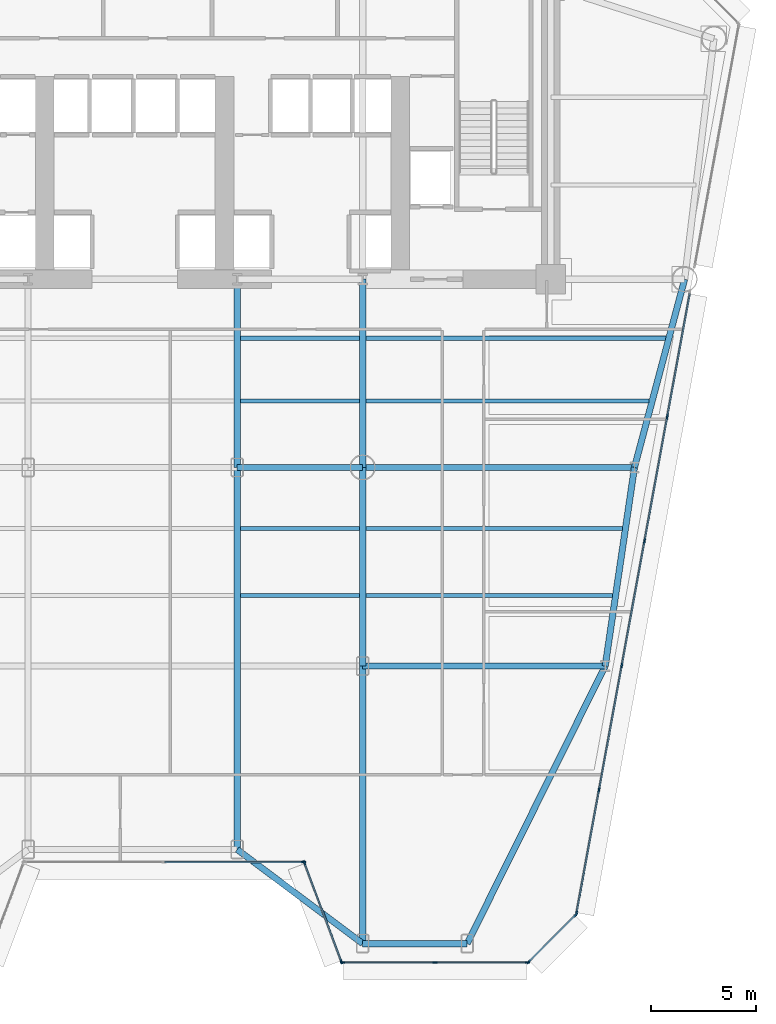
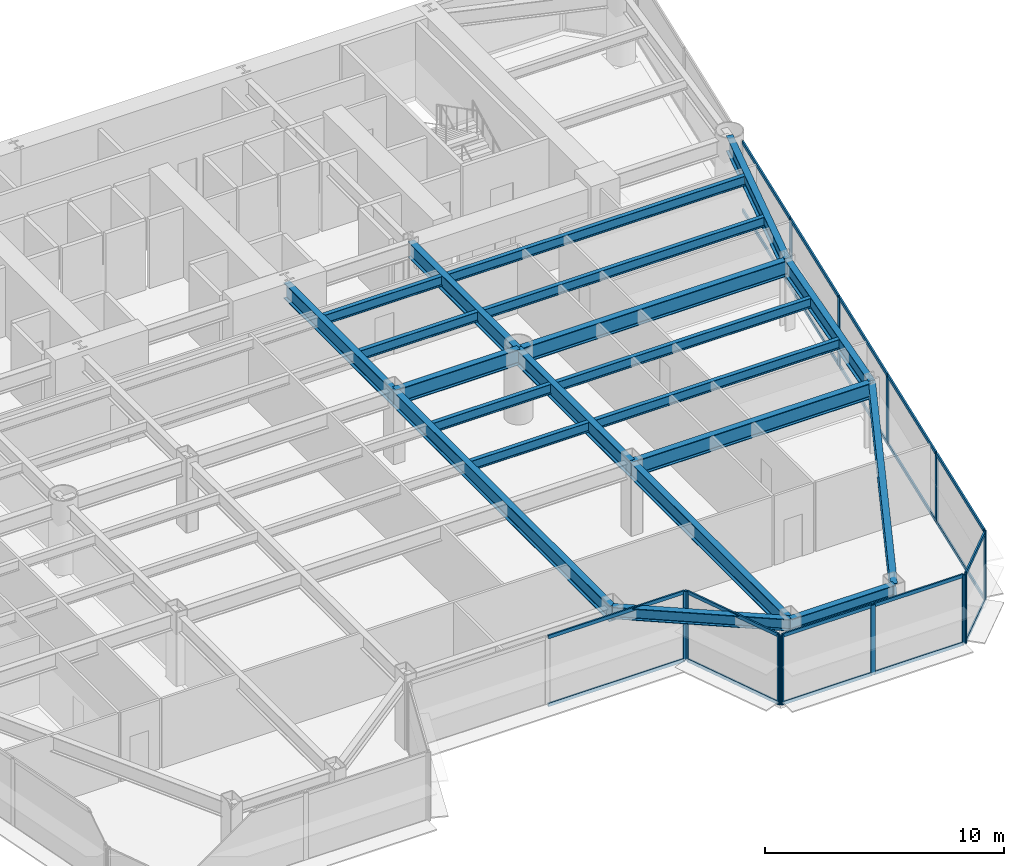
# One storey, part 4 of 14: 33 members, 21 beams, 5 elements without a shape of their own.
"""IFC4 building model written with IfcOpenShell, lengths in metres."""

from ifc_helpers import new_model, si_unit, direction, frame, origin, origin_2d, place, context, subcontext, project, spatial, rectangle, i_section, extrude, source, transform, mapped, material, layer, layer_set, material_profile, profile_set, type_object, element, aggregate, save


model = new_model("IFC4")

# Units and contexts
model_context = context("Model", 3, precision=1e-05, world=origin(), true_north=direction((0.0, 1.0)))
body_context = subcontext(model_context, "Body", "Model", "MODEL_VIEW")
ifc_project = project(units=[si_unit("LENGTHUNIT", "METRE"), si_unit("AREAUNIT", "SQUARE_METRE"), si_unit("VOLUMEUNIT", "CUBIC_METRE"), si_unit("PLANEANGLEUNIT", "RADIAN"), si_unit("MASSUNIT", "GRAM", prefix="KILO")], contexts=[model_context])

# Site, building, storey
site_placement = place(None, origin())
site = spatial("IfcSite", under=ifc_project, at=site_placement, CompositionType="ELEMENT")
building_placement = place(site_placement, origin())
building = spatial("IfcBuilding", under=site, at=building_placement, Name="Vaeldorn Concourse Tower", CompositionType="ELEMENT")
storey_placement = place(building_placement, frame((0.0, 0.0, 79.60009765625)))
storey = spatial("IfcBuildingStorey", under=building, at=storey_placement, Name="L20", CompositionType="ELEMENT", Elevation=79.60009765625)

# Beams
ifc_material_1 = material(Name="Steel S355", Category="steel")
ifc_material_profile_1 = material_profile(ifc_material_1, i_section(OverallWidth=0.300048828125, OverallDepth=0.800048828125, WebThickness=0.017578125, FlangeThickness=0.032958984375, FilletRadius=0.030029296875, at=origin_2d()), Name="HEB 800")
ifc_profile_set_1 = profile_set([ifc_material_profile_1], Name="Steel S355")
beam_type_1 = type_object("IfcBeamType", Name="BM-PG-HEB800", PredefinedType="BEAM", material=ifc_profile_set_1)
shared_shape_1 = source(origin(), body_context, "Body", "SweptSolid", [
    extrude(i_section(OverallWidth=0.300048828125, OverallDepth=0.800048828125, WebThickness=0.017578125, FlangeThickness=0.032958984375, FilletRadius=0.030029296875, at=origin_2d()), origin(), (0.0, 0.0, 1.0), 6.0),
])
beam_1_placement = place(storey_placement, frame((39.0, 27.5, 3.139892578125), z_axis=(1.0, 0.0, 0.0), x_axis=(0.0, 1.0, 0.0)))
element("IfcBeam", 1, at=beam_1_placement, inside=storey, type_object=beam_type_1, Name="Beam BM-L20-C-TW3-C-TW4", PredefinedType="BEAM", context=body_context, shape_type="MappedRepresentation", body=[
    mapped(shared_shape_1, transform((0.0, 0.0, 0.0), scale=1.0)),
])
shared_shape_2 = source(origin(), body_context, "Body", "SweptSolid", [
    extrude(i_section(OverallWidth=0.300048828125, OverallDepth=0.800048828125, WebThickness=0.017578125, FlangeThickness=0.032958984375, FilletRadius=0.030029296875, at=origin_2d()), origin(), (0.0, 0.0, 1.0), 9.0),
])
for number, where, z_axis, x_axis, name in (
    (2, (39.0, 27.5, 3.139892578125), (0.0, 1.0, 0.0), (-1.0, 0.0, 0.0), "Beam BM-L20-C-TW3-C-FC4"),
    (3, (45.0, 27.5, 3.139892578125), (0.0, 1.0, 0.0), (-1.0, 0.0, 0.0), "Beam BM-L20-C-TW4-C-FC5"),
):
    element("IfcBeam", number, at=place(storey_placement, frame(where, z_axis=z_axis, x_axis=x_axis)), inside=storey, type_object=beam_type_1, Name=name, PredefinedType="BEAM", context=body_context, shape_type="MappedRepresentation", body=[
        mapped(shared_shape_2, transform((0.0, 0.0, 0.0), scale=1.0)),
    ])
shared_shape_3 = source(origin(), body_context, "Body", "SweptSolid", [
    extrude(i_section(OverallWidth=0.300048828125, OverallDepth=0.800048828125, WebThickness=0.017578125, FlangeThickness=0.032958984375, FilletRadius=0.030029296875, at=origin_2d()), origin(), (0.0, 0.0, 1.0), 9.314453125),
])
beam_2_placement = place(storey_placement, frame((60.39990234375, 36.5, 3.139892578125), z_axis=(-0.257652862255, -0.966237549763, 0.0), x_axis=(0.966237549763, -0.257652862255, 0.0)))
element("IfcBeam", 4, at=beam_2_placement, inside=storey, type_object=beam_type_1, Name="Beam BM-L20-C-NE2-C-FLE1", PredefinedType="BEAM", context=body_context, shape_type="MappedRepresentation", body=[
    mapped(shared_shape_3, transform((0.0, 0.0, 0.0), scale=1.0)),
])
shared_shape_4 = source(origin(), body_context, "Body", "SweptSolid", [
    extrude(i_section(OverallWidth=0.300048828125, OverallDepth=0.800048828125, WebThickness=0.017578125, FlangeThickness=0.032958984375, FilletRadius=0.030029296875, at=origin_2d()), origin(), (0.0, 0.0, 1.0), 13.0),
])
beam_3_placement = place(storey_placement, frame((45.0, 27.5, 3.139892578125), z_axis=(1.0, 0.0, 0.0), x_axis=(0.0, 1.0, 0.0)))
element("IfcBeam", 5, at=beam_3_placement, inside=storey, type_object=beam_type_1, Name="Beam BM-L20-C-TW4-C-FLE1", PredefinedType="BEAM", context=body_context, shape_type="MappedRepresentation", body=[
    mapped(shared_shape_4, transform((0.0, 0.0, 0.0), scale=1.0)),
])
ifc_material_profile_2 = material_profile(ifc_material_1, i_section(OverallWidth=0.300048828125, OverallDepth=0.60009765625, WebThickness=0.015380859375, FlangeThickness=0.030029296875, FilletRadius=0.027099609375, at=origin_2d()), Name="HEB 600")
ifc_profile_set_2 = profile_set([ifc_material_profile_2], Name="Steel S355")
beam_type_2 = type_object("IfcBeamType", Name="BM-SP-HEB600", PredefinedType="SPANDREL", material=ifc_profile_set_2)
shared_shape_5 = source(origin(), body_context, "Body", "SweptSolid", [
    extrude(i_section(OverallWidth=0.300048828125, OverallDepth=0.60009765625, WebThickness=0.015380859375, FlangeThickness=0.030029296875, FilletRadius=0.027099609375, at=origin_2d()), origin(), (0.0, 0.0, 1.0), 5.0),
])
beam_4_placement = place(storey_placement, frame((45.0, 4.72509765625, 3.239990234375), z_axis=(1.0, 0.0, 0.0), x_axis=(0.0, 1.0, 0.0)))
element("IfcBeam", 6, at=beam_4_placement, inside=storey, type_object=beam_type_2, Name="Beam BM-L20-C-SF5-C-SF6", PredefinedType="SPANDREL", context=body_context, shape_type="MappedRepresentation", body=[
    mapped(shared_shape_5, transform((0.0, 0.0, 0.0), scale=1.0)),
])
shared_shape_6 = source(origin(), body_context, "Body", "SweptSolid", [
    extrude(i_section(OverallWidth=0.300048828125, OverallDepth=0.60009765625, WebThickness=0.015380859375, FlangeThickness=0.030029296875, FilletRadius=0.027099609375, at=origin_2d()), origin(), (0.0, 0.0, 1.0), 7.5),
])
beam_5_placement = place(storey_placement, frame((39.0, 9.22509765625, 3.239990234375), z_axis=(0.8, -0.6, 0.0), x_axis=(0.6, 0.8, 0.0)))
element("IfcBeam", 7, at=beam_5_placement, inside=storey, type_object=beam_type_2, Name="Beam BM-L20-C-SF4-C-SF5", PredefinedType="SPANDREL", context=body_context, shape_type="MappedRepresentation", body=[
    mapped(shared_shape_6, transform((0.0, 0.0, 0.0), scale=1.0)),
])
shared_shape_7 = source(origin(), body_context, "Body", "SweptSolid", [
    extrude(i_section(OverallWidth=0.300048828125, OverallDepth=0.800048828125, WebThickness=0.017578125, FlangeThickness=0.032958984375, FilletRadius=0.030029296875, at=origin_2d()), origin(), (0.0, 0.0, 1.0), 9.6025390625),
])
beam_6_placement = place(storey_placement, frame((58.0, 27.5, 3.139892578125), z_axis=(-0.145783835977, -0.989316467652, 0.0), x_axis=(0.989316467652, -0.145783835977, 0.0)))
element("IfcBeam", 8, at=beam_6_placement, inside=storey, type_object=beam_type_1, Name="Beam BM-L20-C-FLE1-C-FLE2", PredefinedType="BEAM", context=body_context, shape_type="MappedRepresentation", body=[
    mapped(shared_shape_7, transform((0.0, 0.0, 0.0), scale=1.0)),
])
shared_shape_8 = source(origin(), body_context, "Body", "SweptSolid", [
    extrude(i_section(OverallWidth=0.300048828125, OverallDepth=0.800048828125, WebThickness=0.017578125, FlangeThickness=0.032958984375, FilletRadius=0.030029296875, at=origin_2d()), origin(), (0.0, 0.0, 1.0), 11.60009765625),
])
beam_7_placement = place(storey_placement, frame((45.0, 18.0, 3.139892578125), z_axis=(1.0, 0.0, 0.0), x_axis=(0.0, 1.0, 0.0)))
element("IfcBeam", 9, at=beam_7_placement, inside=storey, type_object=beam_type_1, Name="Beam BM-L20-C-TW6-C-FLE2", PredefinedType="BEAM", context=body_context, shape_type="MappedRepresentation", body=[
    mapped(shared_shape_8, transform((0.0, 0.0, 0.0), scale=1.0)),
])
shared_shape_9 = source(origin(), body_context, "Body", "SweptSolid", [
    extrude(i_section(OverallWidth=0.300048828125, OverallDepth=0.800048828125, WebThickness=0.017578125, FlangeThickness=0.032958984375, FilletRadius=0.030029296875, at=origin_2d()), origin(), (0.0, 0.0, 1.0), 9.5),
])
beam_8_placement = place(storey_placement, frame((45.0, 18.0, 3.139892578125), z_axis=(0.0, 1.0, 0.0), x_axis=(-1.0, 0.0, 0.0)))
element("IfcBeam", 10, at=beam_8_placement, inside=storey, type_object=beam_type_1, Name="Beam BM-L20-C-TW6-C-TW4", PredefinedType="BEAM", context=body_context, shape_type="MappedRepresentation", body=[
    mapped(shared_shape_9, transform((0.0, 0.0, 0.0), scale=1.0)),
])
ifc_material_profile_3 = material_profile(ifc_material_1, i_section(OverallWidth=0.199951171875, OverallDepth=0.5, WebThickness=0.01025390625, FlangeThickness=0.01611328125, FilletRadius=0.02099609375, at=origin_2d()), Name="IPE 500")
ifc_profile_set_3 = profile_set([ifc_material_profile_3], Name="Steel S355")
beam_type_3 = type_object("IfcBeamType", Name="BM-JS-IPE500", PredefinedType="JOIST", material=ifc_profile_set_3)
shared_shape_10 = source(origin(), body_context, "Body", "SweptSolid", [
    extrude(i_section(OverallWidth=0.199951171875, OverallDepth=0.5, WebThickness=0.01025390625, FlangeThickness=0.01611328125, FilletRadius=0.02099609375, at=origin_2d()), origin(), (0.0, 0.0, 1.0), 5.7001953125),
])
for number, where, z_axis, x_axis, name in (
    (11, (39.14990234375, 21.3798828125, 3.289794921875), (1.0, 0.0, 0.0), (0.0, 1.0, 0.0), "Beam JS-L20-E2-213"),
    (12, (39.14990234375, 24.580078125, 3.289794921875), (1.0, 0.0, 0.0), (0.0, 1.0, 0.0), "Beam JS-L20-E2-245"),
    (13, (39.14990234375, 30.679931640625, 3.289794921875), (1.0, 0.0, 0.0), (0.0, 1.0, 0.0), "Beam JS-L20-E2-306"),
    (14, (39.14990234375, 33.679931640625, 3.289794921875), (1.0, 0.0, 0.0), (0.0, 1.0, 0.0), "Beam JS-L20-E2-336"),
):
    element("IfcBeam", number, at=place(storey_placement, frame(where, z_axis=z_axis, x_axis=x_axis)), inside=storey, type_object=beam_type_3, Name=name, PredefinedType="JOIST", context=body_context, shape_type="MappedRepresentation", body=[
        mapped(shared_shape_10, transform((0.0, 0.0, 0.0), scale=1.0)),
    ])
shared_shape_11 = source(origin(), body_context, "Body", "SweptSolid", [
    extrude(i_section(OverallWidth=0.300048828125, OverallDepth=0.800048828125, WebThickness=0.017578125, FlangeThickness=0.032958984375, FilletRadius=0.030029296875, at=origin_2d()), origin(), (0.0, 0.0, 1.0), 14.8251953125),
])
beam_9_placement = place(storey_placement, frame((50.0, 4.72509765625, 3.139892578125), z_axis=(0.44519677276, 0.895432763263, 0.0), x_axis=(-0.895432763263, 0.44519677276, 0.0)))
element("IfcBeam", 15, at=beam_9_placement, inside=storey, type_object=beam_type_1, Name="Beam BM-L20-C-SF6-C-FLE2", PredefinedType="BEAM", context=body_context, shape_type="MappedRepresentation", body=[
    mapped(shared_shape_11, transform((0.0, 0.0, 0.0), scale=1.0)),
])
shared_shape_12 = source(origin(), body_context, "Body", "SweptSolid", [
    extrude(i_section(OverallWidth=0.300048828125, OverallDepth=0.800048828125, WebThickness=0.017578125, FlangeThickness=0.032958984375, FilletRadius=0.030029296875, at=origin_2d()), origin(), (0.0, 0.0, 1.0), 13.27490234375),
])
beam_10_placement = place(storey_placement, frame((45.0, 4.72509765625, 3.139892578125), z_axis=(0.0, 1.0, 0.0), x_axis=(-1.0, 0.0, 0.0)))
element("IfcBeam", 16, at=beam_10_placement, inside=storey, type_object=beam_type_1, Name="Beam BM-L20-C-SF5-C-TW6", PredefinedType="BEAM", context=body_context, shape_type="MappedRepresentation", body=[
    mapped(shared_shape_12, transform((0.0, 0.0, 0.0), scale=1.0)),
])
shared_shape_13 = source(origin(), body_context, "Body", "SweptSolid", [
    extrude(i_section(OverallWidth=0.300048828125, OverallDepth=0.800048828125, WebThickness=0.017578125, FlangeThickness=0.032958984375, FilletRadius=0.030029296875, at=origin_2d()), origin(), (0.0, 0.0, 1.0), 18.27490234375),
])
beam_11_placement = place(storey_placement, frame((39.0, 9.22509765625, 3.139892578125), z_axis=(0.0, 1.0, 0.0), x_axis=(-1.0, 0.0, 0.0)))
element("IfcBeam", 17, at=beam_11_placement, inside=storey, type_object=beam_type_1, Name="Beam BM-L20-C-SF4-C-TW3", PredefinedType="BEAM", context=body_context, shape_type="MappedRepresentation", body=[
    mapped(shared_shape_13, transform((0.0, 0.0, 0.0), scale=1.0)),
])
shared_shape_14 = source(origin(), body_context, "Body", "SweptSolid", [
    extrude(i_section(OverallWidth=0.199951171875, OverallDepth=0.5, WebThickness=0.01025390625, FlangeThickness=0.01611328125, FilletRadius=0.02099609375, at=origin_2d()), origin(), (0.0, 0.0, 1.0), 11.798095703125),
])
beam_12_placement = place(storey_placement, frame((45.14990234375, 21.3798828125, 3.289794921875), z_axis=(1.0, 0.0, 0.0), x_axis=(0.0, 1.0, 0.0)))
element("IfcBeam", 18, at=beam_12_placement, inside=storey, type_object=beam_type_3, Name="Beam JS-L20-E1-213", PredefinedType="JOIST", context=body_context, shape_type="MappedRepresentation", body=[
    mapped(shared_shape_14, transform((0.0, 0.0, 0.0), scale=1.0)),
])
shared_shape_15 = source(origin(), body_context, "Body", "SweptSolid", [
    extrude(i_section(OverallWidth=0.199951171875, OverallDepth=0.5, WebThickness=0.01025390625, FlangeThickness=0.01611328125, FilletRadius=0.02099609375, at=origin_2d()), origin(), (0.0, 0.0, 1.0), 12.269775390625),
])
beam_13_placement = place(storey_placement, frame((45.14990234375, 24.580078125, 3.289794921875), z_axis=(1.0, 0.0, 0.0), x_axis=(0.0, 1.0, 0.0)))
element("IfcBeam", 19, at=beam_13_placement, inside=storey, type_object=beam_type_3, Name="Beam JS-L20-E1-245", PredefinedType="JOIST", context=body_context, shape_type="MappedRepresentation", body=[
    mapped(shared_shape_15, transform((0.0, 0.0, 0.0), scale=1.0)),
])
shared_shape_16 = source(origin(), body_context, "Body", "SweptSolid", [
    extrude(i_section(OverallWidth=0.199951171875, OverallDepth=0.5, WebThickness=0.01025390625, FlangeThickness=0.01611328125, FilletRadius=0.02099609375, at=origin_2d()), origin(), (0.0, 0.0, 1.0), 13.548095703125),
])
beam_14_placement = place(storey_placement, frame((45.14990234375, 30.679931640625, 3.289794921875), z_axis=(1.0, 0.0, 0.0), x_axis=(0.0, 1.0, 0.0)))
element("IfcBeam", 20, at=beam_14_placement, inside=storey, type_object=beam_type_3, Name="Beam JS-L20-E1-306", PredefinedType="JOIST", context=body_context, shape_type="MappedRepresentation", body=[
    mapped(shared_shape_16, transform((0.0, 0.0, 0.0), scale=1.0)),
])
shared_shape_17 = source(origin(), body_context, "Body", "SweptSolid", [
    extrude(i_section(OverallWidth=0.199951171875, OverallDepth=0.5, WebThickness=0.01025390625, FlangeThickness=0.01611328125, FilletRadius=0.02099609375, at=origin_2d()), origin(), (0.0, 0.0, 1.0), 14.34814453125),
])
beam_15_placement = place(storey_placement, frame((45.14990234375, 33.679931640625, 3.289794921875), z_axis=(1.0, 0.0, 0.0), x_axis=(0.0, 1.0, 0.0)))
element("IfcBeam", 21, at=beam_15_placement, inside=storey, type_object=beam_type_3, Name="Beam JS-L20-E1-336", PredefinedType="JOIST", context=body_context, shape_type="MappedRepresentation", body=[
    mapped(shared_shape_17, transform((0.0, 0.0, 0.0), scale=1.0)),
])

# Curtain wall, members
ifc_material_2 = material(Name="Anodised Bronze Aluminium", Category="aluminium")
ifc_layer = layer(ifc_material_2, 0.219970703125)
ifc_layer_set = layer_set([ifc_layer], Name="Anodised Bronze Aluminium")
curtain_wall_type = type_object("IfcCurtainWallType", Name="CW-SYS-01", PredefinedType="NOTDEFINED", material=ifc_layer_set)
curtain_wall_1_placement = place(storey_placement, origin())
curtain_wall_1 = element("IfcCurtainWall", 22, at=curtain_wall_1_placement, inside=storey, type_object=curtain_wall_type, Name="Unitised Curtain Wall CW-L20-E04-1", PredefinedType="NOTDEFINED")
ifc_material_profile_4 = material_profile(ifc_material_2, rectangle(XDim=0.074951171875, YDim=0.179931640625, at=origin_2d()), Name="CWT 75x180")
ifc_profile_set_4 = profile_set([ifc_material_profile_4], Name="Anodised Bronze Aluminium")
member_type_1 = type_object("IfcMemberType", Name="CWT-BRONZE-180", PredefinedType="USERDEFINED", material=ifc_profile_set_4)
shared_shape_18 = source(origin(), body_context, "Body", "SweptSolid", [
    extrude(rectangle(XDim=0.074951171875, YDim=0.179931640625, at=origin_2d()), origin(), (0.0, 0.0, 1.0), 4.976318359375),
])
member_1_placement = place(storey_placement, frame((42.226318359375, 8.554931640625, 0.037353515625), z_axis=(0.351128818119, -0.936327161352, 0.0), x_axis=(0.936327161352, 0.351128818119, 0.0)))
member_1 = element("IfcMember", 23, at=member_1_placement, type_object=member_type_1, Name="CW-01 transom 1.1", ObjectType="TRANSOM", PredefinedType="USERDEFINED", context=body_context, shape_type="MappedRepresentation", body=[
    mapped(shared_shape_18, transform((0.0, 0.0, 0.0), scale=1.0)),
])
member_2_placement = place(storey_placement, frame((42.226318359375, 8.554931640625, 3.50244140625), z_axis=(0.351128818119, -0.936327161352, 0.0), x_axis=(0.936327161352, 0.351128818119, 0.0)))
member_2 = element("IfcMember", 24, at=member_2_placement, type_object=member_type_1, Name="CW-01 transom 1.2", ObjectType="TRANSOM", PredefinedType="USERDEFINED", context=body_context, shape_type="MappedRepresentation", body=[
    mapped(shared_shape_18, transform((0.0, 0.0, 0.0), scale=1.0)),
])

curtain_wall_2_placement = place(storey_placement, origin())
curtain_wall_2 = element("IfcCurtainWall", 25, at=curtain_wall_2_placement, inside=storey, type_object=curtain_wall_type, Name="Unitised Curtain Wall CW-L20-E03-1", PredefinedType="NOTDEFINED")
shared_shape_19 = source(origin(), body_context, "Body", "SweptSolid", [
    extrude(rectangle(XDim=0.074951171875, YDim=0.179931640625, at=origin_2d()), origin(), (0.0, 0.0, 1.0), 6.58740234375),
])
member_3_placement = place(storey_placement, frame((35.53759765625, 8.625244140625, 0.037353515625), z_axis=(1.0, 0.0, 0.0), x_axis=(0.0, 1.0, 0.0)))
member_3 = element("IfcMember", 26, at=member_3_placement, type_object=member_type_1, Name="CW-01 transom 2.1", ObjectType="TRANSOM", PredefinedType="USERDEFINED", context=body_context, shape_type="MappedRepresentation", body=[
    mapped(shared_shape_19, transform((0.0, 0.0, 0.0), scale=1.0)),
])
member_4_placement = place(storey_placement, frame((35.53759765625, 8.625244140625, 3.50244140625), z_axis=(1.0, 0.0, 0.0), x_axis=(0.0, 1.0, 0.0)))
member_4 = element("IfcMember", 27, at=member_4_placement, type_object=member_type_1, Name="CW-01 transom 2.2", ObjectType="TRANSOM", PredefinedType="USERDEFINED", context=body_context, shape_type="MappedRepresentation", body=[
    mapped(shared_shape_19, transform((0.0, 0.0, 0.0), scale=1.0)),
])

curtain_wall_3_placement = place(storey_placement, origin())
curtain_wall_3 = element("IfcCurtainWall", 28, at=curtain_wall_3_placement, inside=storey, type_object=curtain_wall_type, Name="Unitised Curtain Wall CW-L20-E06-1", PredefinedType="NOTDEFINED")
shared_shape_20 = source(origin(), body_context, "Body", "SweptSolid", [
    extrude(rectangle(XDim=0.074951171875, YDim=0.179931640625, at=origin_2d()), origin(), (0.0, 0.0, 1.0), 3.102783203125),
])
member_5_placement = place(storey_placement, frame((52.96923828125, 3.878173828125, 0.037353515625), z_axis=(0.707067437368, 0.707146122816, 0.0), x_axis=(-0.707146122816, 0.707067437368, 0.0)))
member_5 = element("IfcMember", 29, at=member_5_placement, type_object=member_type_1, Name="CW-01 transom 1.1", ObjectType="TRANSOM", PredefinedType="USERDEFINED", context=body_context, shape_type="MappedRepresentation", body=[
    mapped(shared_shape_20, transform((0.0, 0.0, 0.0), scale=1.0)),
])
member_6_placement = place(storey_placement, frame((52.96923828125, 3.878173828125, 3.50244140625), z_axis=(0.707067437368, 0.707146122816, 0.0), x_axis=(-0.707146122816, 0.707067437368, 0.0)))
member_6 = element("IfcMember", 30, at=member_6_placement, type_object=member_type_1, Name="CW-01 transom 1.2", ObjectType="TRANSOM", PredefinedType="USERDEFINED", context=body_context, shape_type="MappedRepresentation", body=[
    mapped(shared_shape_20, transform((0.0, 0.0, 0.0), scale=1.0)),
])

# Member
ifc_material_profile_5 = material_profile(ifc_material_2, rectangle(XDim=0.074951171875, YDim=0.219970703125, at=origin_2d()), Name="CWM 75x220")
ifc_profile_set_5 = profile_set([ifc_material_profile_5], Name="Anodised Bronze Aluminium")
member_type_2 = type_object("IfcMemberType", Name="CWM-BRONZE-220", PredefinedType="MULLION", material=ifc_profile_set_5)
shared_shape_21 = source(origin(), body_context, "Body", "SweptSolid", [
    extrude(rectangle(XDim=0.074951171875, YDim=0.219970703125, at=origin_2d()), origin(), (0.0, 0.0, 1.0), 3.539794921875),
])
member_7_placement = place(storey_placement, frame((42.16259765625, 8.625244140625, 0.0), z_axis=(0.0, 0.0, 1.0), x_axis=(0.0, 1.0, 0.0)))
member_7 = element("IfcMember", 31, at=member_7_placement, type_object=member_type_2, Name="CW-01 mullion 3", PredefinedType="MULLION", context=body_context, shape_type="MappedRepresentation", body=[
    mapped(shared_shape_21, transform((0.0, 0.0, 0.0), scale=1.0)),
])

aggregate(curtain_wall_2, [member_7, member_3, member_4])

member_8_placement = place(storey_placement, frame((42.213134765625, 8.590087890625, 0.0), z_axis=(0.0, 0.0, 1.0), x_axis=(0.936329177566, 0.351123441595, 0.0)))
member_8 = element("IfcMember", 32, at=member_8_placement, type_object=member_type_2, Name="CW-01 mullion 1", PredefinedType="MULLION", context=body_context, shape_type="MappedRepresentation", body=[
    mapped(shared_shape_21, transform((0.0, 0.0, 0.0), scale=1.0)),
])

member_9_placement = place(storey_placement, frame((43.98681640625, 3.8603515625, 0.0), z_axis=(0.0, 0.0, 1.0), x_axis=(0.936329177566, 0.351123441595, 0.0)))
member_9 = element("IfcMember", 33, at=member_9_placement, type_object=member_type_2, Name="CW-01 mullion 2", PredefinedType="MULLION", context=body_context, shape_type="MappedRepresentation", body=[
    mapped(shared_shape_21, transform((0.0, 0.0, 0.0), scale=1.0)),
])

aggregate(curtain_wall_1, [member_8, member_9, member_1, member_2])

# Curtain wall, members
curtain_wall_4_placement = place(storey_placement, origin())
curtain_wall_4 = element("IfcCurtainWall", 34, at=curtain_wall_4_placement, inside=storey, type_object=curtain_wall_type, Name="Unitised Curtain Wall CW-L20-E05-1", PredefinedType="NOTDEFINED")
member_10_placement = place(storey_placement, frame((44.03759765625, 3.8251953125, 0.0), z_axis=(0.0, 0.0, 1.0), x_axis=(0.0, 1.0, 0.0)))
member_10 = element("IfcMember", 35, at=member_10_placement, type_object=member_type_2, Name="CW-01 mullion 1", PredefinedType="MULLION", context=body_context, shape_type="MappedRepresentation", body=[
    mapped(shared_shape_21, transform((0.0, 0.0, 0.0), scale=1.0)),
])
member_11_placement = place(storey_placement, frame((48.4580078125, 3.8251953125, 0.0), z_axis=(0.0, 0.0, 1.0), x_axis=(0.0, 1.0, 0.0)))
member_11 = element("IfcMember", 36, at=member_11_placement, type_object=member_type_2, Name="CW-01 mullion 2", PredefinedType="MULLION", context=body_context, shape_type="MappedRepresentation", body=[
    mapped(shared_shape_21, transform((0.0, 0.0, 0.0), scale=1.0)),
])
member_12_placement = place(storey_placement, frame((52.878662109375, 3.8251953125, 0.0), z_axis=(0.0, 0.0, 1.0), x_axis=(0.0, 1.0, 0.0)))
member_12 = element("IfcMember", 37, at=member_12_placement, type_object=member_type_2, Name="CW-01 mullion 3", PredefinedType="MULLION", context=body_context, shape_type="MappedRepresentation", body=[
    mapped(shared_shape_21, transform((0.0, 0.0, 0.0), scale=1.0)),
])

# Member
member_13_placement = place(storey_placement, frame((52.942626953125, 3.851806640625, 0.0), z_axis=(0.0, 0.0, 1.0), x_axis=(-0.707106781187, 0.707106781187, 0.0)))
member_13 = element("IfcMember", 38, at=member_13_placement, type_object=member_type_2, Name="CW-01 mullion 1", PredefinedType="MULLION", context=body_context, shape_type="MappedRepresentation", body=[
    mapped(shared_shape_21, transform((0.0, 0.0, 0.0), scale=1.0)),
])

member_14_placement = place(storey_placement, frame((55.189697265625, 6.0986328125, 0.0), z_axis=(0.0, 0.0, 1.0), x_axis=(-0.707106781187, 0.707106781187, 0.0)))
member_14 = element("IfcMember", 39, at=member_14_placement, type_object=member_type_2, Name="CW-01 mullion 2", PredefinedType="MULLION", context=body_context, shape_type="MappedRepresentation", body=[
    mapped(shared_shape_21, transform((0.0, 0.0, 0.0), scale=1.0)),
])

aggregate(curtain_wall_3, [member_13, member_14, member_5, member_6])

# Curtain wall, members
curtain_wall_5_placement = place(storey_placement, origin())
curtain_wall_5 = element("IfcCurtainWall", 40, at=curtain_wall_5_placement, inside=storey, type_object=curtain_wall_type, Name="Unitised Curtain Wall CW-L20-E07-1", PredefinedType="NOTDEFINED")
member_15_placement = place(storey_placement, frame((55.222900390625, 6.162109375, 0.0), z_axis=(0.0, 0.0, 1.0), x_axis=(-0.983694621772, 0.179846854566, 0.0)))
member_15 = element("IfcMember", 41, at=member_15_placement, type_object=member_type_2, Name="CW-01 mullion 1", PredefinedType="MULLION", context=body_context, shape_type="MappedRepresentation", body=[
    mapped(shared_shape_21, transform((0.0, 0.0, 0.0), scale=1.0)),
])
member_16_placement = place(storey_placement, frame((56.30419921875, 12.076171875, 0.0), z_axis=(0.0, 0.0, 1.0), x_axis=(-0.983694621772, 0.179846854566, 0.0)))
member_16 = element("IfcMember", 42, at=member_16_placement, type_object=member_type_2, Name="CW-01 mullion 2", PredefinedType="MULLION", context=body_context, shape_type="MappedRepresentation", body=[
    mapped(shared_shape_21, transform((0.0, 0.0, 0.0), scale=1.0)),
])
member_17_placement = place(storey_placement, frame((57.392333984375, 18.02734375, 0.0), z_axis=(0.0, 0.0, 1.0), x_axis=(-0.983694621772, 0.179846854566, 0.0)))
member_17 = element("IfcMember", 43, at=member_17_placement, type_object=member_type_2, Name="CW-01 mullion 3", PredefinedType="MULLION", context=body_context, shape_type="MappedRepresentation", body=[
    mapped(shared_shape_21, transform((0.0, 0.0, 0.0), scale=1.0)),
])
member_18_placement = place(storey_placement, frame((58.480224609375, 23.978271484375, 0.0), z_axis=(0.0, 0.0, 1.0), x_axis=(-0.983694621772, 0.179846854566, 0.0)))
member_18 = element("IfcMember", 44, at=member_18_placement, type_object=member_type_2, Name="CW-01 mullion 4", PredefinedType="MULLION", context=body_context, shape_type="MappedRepresentation", body=[
    mapped(shared_shape_21, transform((0.0, 0.0, 0.0), scale=1.0)),
])
member_19_placement = place(storey_placement, frame((59.568359375, 29.929443359375, 0.0), z_axis=(0.0, 0.0, 1.0), x_axis=(-0.983694621772, 0.179846854566, 0.0)))
member_19 = element("IfcMember", 45, at=member_19_placement, type_object=member_type_2, Name="CW-01 mullion 5", PredefinedType="MULLION", context=body_context, shape_type="MappedRepresentation", body=[
    mapped(shared_shape_21, transform((0.0, 0.0, 0.0), scale=1.0)),
])

# Member
shared_shape_22 = source(origin(), body_context, "Body", "SweptSolid", [
    extrude(rectangle(XDim=0.074951171875, YDim=0.179931640625, at=origin_2d()), origin(), (0.0, 0.0, 1.0), 4.345703125),
])
member_20_placement = place(storey_placement, frame((44.074951171875, 3.8251953125, 0.037353515625), z_axis=(1.0, 0.0, 0.0), x_axis=(0.0, 1.0, 0.0)))
member_20 = element("IfcMember", 46, at=member_20_placement, type_object=member_type_1, Name="CW-01 transom 1.1", ObjectType="TRANSOM", PredefinedType="USERDEFINED", context=body_context, shape_type="MappedRepresentation", body=[
    mapped(shared_shape_22, transform((0.0, 0.0, 0.0), scale=1.0)),
])

member_21_placement = place(storey_placement, frame((44.074951171875, 3.8251953125, 3.50244140625), z_axis=(1.0, 0.0, 0.0), x_axis=(0.0, 1.0, 0.0)))
member_21 = element("IfcMember", 47, at=member_21_placement, type_object=member_type_1, Name="CW-01 transom 1.2", ObjectType="TRANSOM", PredefinedType="USERDEFINED", context=body_context, shape_type="MappedRepresentation", body=[
    mapped(shared_shape_22, transform((0.0, 0.0, 0.0), scale=1.0)),
])

member_22_placement = place(storey_placement, frame((48.49560546875, 3.8251953125, 0.037353515625), z_axis=(1.0, 0.0, 0.0), x_axis=(0.0, 1.0, 0.0)))
member_22 = element("IfcMember", 48, at=member_22_placement, type_object=member_type_1, Name="CW-01 transom 2.1", ObjectType="TRANSOM", PredefinedType="USERDEFINED", context=body_context, shape_type="MappedRepresentation", body=[
    mapped(shared_shape_22, transform((0.0, 0.0, 0.0), scale=1.0)),
])

member_23_placement = place(storey_placement, frame((48.49560546875, 3.8251953125, 3.50244140625), z_axis=(1.0, 0.0, 0.0), x_axis=(0.0, 1.0, 0.0)))
member_23 = element("IfcMember", 49, at=member_23_placement, type_object=member_type_1, Name="CW-01 transom 2.2", ObjectType="TRANSOM", PredefinedType="USERDEFINED", context=body_context, shape_type="MappedRepresentation", body=[
    mapped(shared_shape_22, transform((0.0, 0.0, 0.0), scale=1.0)),
])

aggregate(curtain_wall_4, [member_10, member_11, member_12, member_20, member_21, member_22, member_23])

shared_shape_23 = source(origin(), body_context, "Body", "SweptSolid", [
    extrude(rectangle(XDim=0.074951171875, YDim=0.179931640625, at=origin_2d()), origin(), (0.0, 0.0, 1.0), 5.93701171875),
])
member_24_placement = place(storey_placement, frame((55.229736328125, 6.198974609375, 0.037353515625), z_axis=(0.179822589246, 0.983699057841, 0.0), x_axis=(-0.983699057841, 0.179822589246, 0.0)))
member_24 = element("IfcMember", 50, at=member_24_placement, type_object=member_type_1, Name="CW-01 transom 1.1", ObjectType="TRANSOM", PredefinedType="USERDEFINED", context=body_context, shape_type="MappedRepresentation", body=[
    mapped(shared_shape_23, transform((0.0, 0.0, 0.0), scale=1.0)),
])

member_25_placement = place(storey_placement, frame((55.229736328125, 6.198974609375, 3.50244140625), z_axis=(0.179822589246, 0.983699057841, 0.0), x_axis=(-0.983699057841, 0.179822589246, 0.0)))
member_25 = element("IfcMember", 51, at=member_25_placement, type_object=member_type_1, Name="CW-01 transom 1.2", ObjectType="TRANSOM", PredefinedType="USERDEFINED", context=body_context, shape_type="MappedRepresentation", body=[
    mapped(shared_shape_23, transform((0.0, 0.0, 0.0), scale=1.0)),
])

shared_shape_24 = source(origin(), body_context, "Body", "SweptSolid", [
    extrude(rectangle(XDim=0.074951171875, YDim=0.179931640625, at=origin_2d()), origin(), (0.0, 0.0, 1.0), 5.974853515625),
])
member_26_placement = place(storey_placement, frame((56.31103515625, 12.113037109375, 0.037353515625), z_axis=(0.179831051966, 0.983697510797, 0.0), x_axis=(-0.983697510797, 0.179831051966, 0.0)))
member_26 = element("IfcMember", 52, at=member_26_placement, type_object=member_type_1, Name="CW-01 transom 2.1", ObjectType="TRANSOM", PredefinedType="USERDEFINED", context=body_context, shape_type="MappedRepresentation", body=[
    mapped(shared_shape_24, transform((0.0, 0.0, 0.0), scale=1.0)),
])

member_27_placement = place(storey_placement, frame((56.31103515625, 12.113037109375, 3.50244140625), z_axis=(0.179831051966, 0.983697510797, 0.0), x_axis=(-0.983697510797, 0.179831051966, 0.0)))
member_27 = element("IfcMember", 53, at=member_27_placement, type_object=member_type_1, Name="CW-01 transom 2.2", ObjectType="TRANSOM", PredefinedType="USERDEFINED", context=body_context, shape_type="MappedRepresentation", body=[
    mapped(shared_shape_24, transform((0.0, 0.0, 0.0), scale=1.0)),
])

shared_shape_25 = source(origin(), body_context, "Body", "SweptSolid", [
    extrude(rectangle(XDim=0.074951171875, YDim=0.179931640625, at=origin_2d()), origin(), (0.0, 0.0, 1.0), 5.974609375),
])
member_28_placement = place(storey_placement, frame((57.39892578125, 18.064208984375, 0.037353515625), z_axis=(0.179877821637, 0.983688959623, 0.0), x_axis=(-0.983688959623, 0.179877821637, 0.0)))
member_28 = element("IfcMember", 54, at=member_28_placement, type_object=member_type_1, Name="CW-01 transom 3.1", ObjectType="TRANSOM", PredefinedType="USERDEFINED", context=body_context, shape_type="MappedRepresentation", body=[
    mapped(shared_shape_25, transform((0.0, 0.0, 0.0), scale=1.0)),
])

member_29_placement = place(storey_placement, frame((57.39892578125, 18.064208984375, 3.50244140625), z_axis=(0.179877821637, 0.983688959623, 0.0), x_axis=(-0.983688959623, 0.179877821637, 0.0)))
member_29 = element("IfcMember", 55, at=member_29_placement, type_object=member_type_1, Name="CW-01 transom 3.2", ObjectType="TRANSOM", PredefinedType="USERDEFINED", context=body_context, shape_type="MappedRepresentation", body=[
    mapped(shared_shape_25, transform((0.0, 0.0, 0.0), scale=1.0)),
])

member_30_placement = place(storey_placement, frame((58.487060546875, 24.015380859375, 0.037353515625), z_axis=(0.179838280608, 0.983696189292, 0.0), x_axis=(-0.983696189292, 0.179838280608, 0.0)))
member_30 = element("IfcMember", 56, at=member_30_placement, type_object=member_type_1, Name="CW-01 transom 4.1", ObjectType="TRANSOM", PredefinedType="USERDEFINED", context=body_context, shape_type="MappedRepresentation", body=[
    mapped(shared_shape_25, transform((0.0, 0.0, 0.0), scale=1.0)),
])

member_31_placement = place(storey_placement, frame((58.487060546875, 24.015380859375, 3.50244140625), z_axis=(0.179838280608, 0.983696189292, 0.0), x_axis=(-0.983696189292, 0.179838280608, 0.0)))
member_31 = element("IfcMember", 57, at=member_31_placement, type_object=member_type_1, Name="CW-01 transom 4.2", ObjectType="TRANSOM", PredefinedType="USERDEFINED", context=body_context, shape_type="MappedRepresentation", body=[
    mapped(shared_shape_25, transform((0.0, 0.0, 0.0), scale=1.0)),
])

shared_shape_26 = source(origin(), body_context, "Body", "SweptSolid", [
    extrude(rectangle(XDim=0.074951171875, YDim=0.179931640625, at=origin_2d()), origin(), (0.0, 0.0, 1.0), 5.937255859375),
])
member_32_placement = place(storey_placement, frame((59.574951171875, 29.96630859375, 0.037353515625), z_axis=(0.17986238021, 0.983691783124, 0.0), x_axis=(-0.983691783124, 0.17986238021, 0.0)))
member_32 = element("IfcMember", 58, at=member_32_placement, type_object=member_type_1, Name="CW-01 transom 5.1", ObjectType="TRANSOM", PredefinedType="USERDEFINED", context=body_context, shape_type="MappedRepresentation", body=[
    mapped(shared_shape_26, transform((0.0, 0.0, 0.0), scale=1.0)),
])

member_33_placement = place(storey_placement, frame((59.574951171875, 29.96630859375, 3.50244140625), z_axis=(0.17986238021, 0.983691783124, 0.0), x_axis=(-0.983691783124, 0.17986238021, 0.0)))
member_33 = element("IfcMember", 59, at=member_33_placement, type_object=member_type_1, Name="CW-01 transom 5.2", ObjectType="TRANSOM", PredefinedType="USERDEFINED", context=body_context, shape_type="MappedRepresentation", body=[
    mapped(shared_shape_26, transform((0.0, 0.0, 0.0), scale=1.0)),
])

aggregate(curtain_wall_5, [member_15, member_16, member_17, member_18, member_19, member_24, member_25, member_26, member_27, member_28, member_29, member_30, member_31, member_32, member_33])

save(model, "model.ifc")
